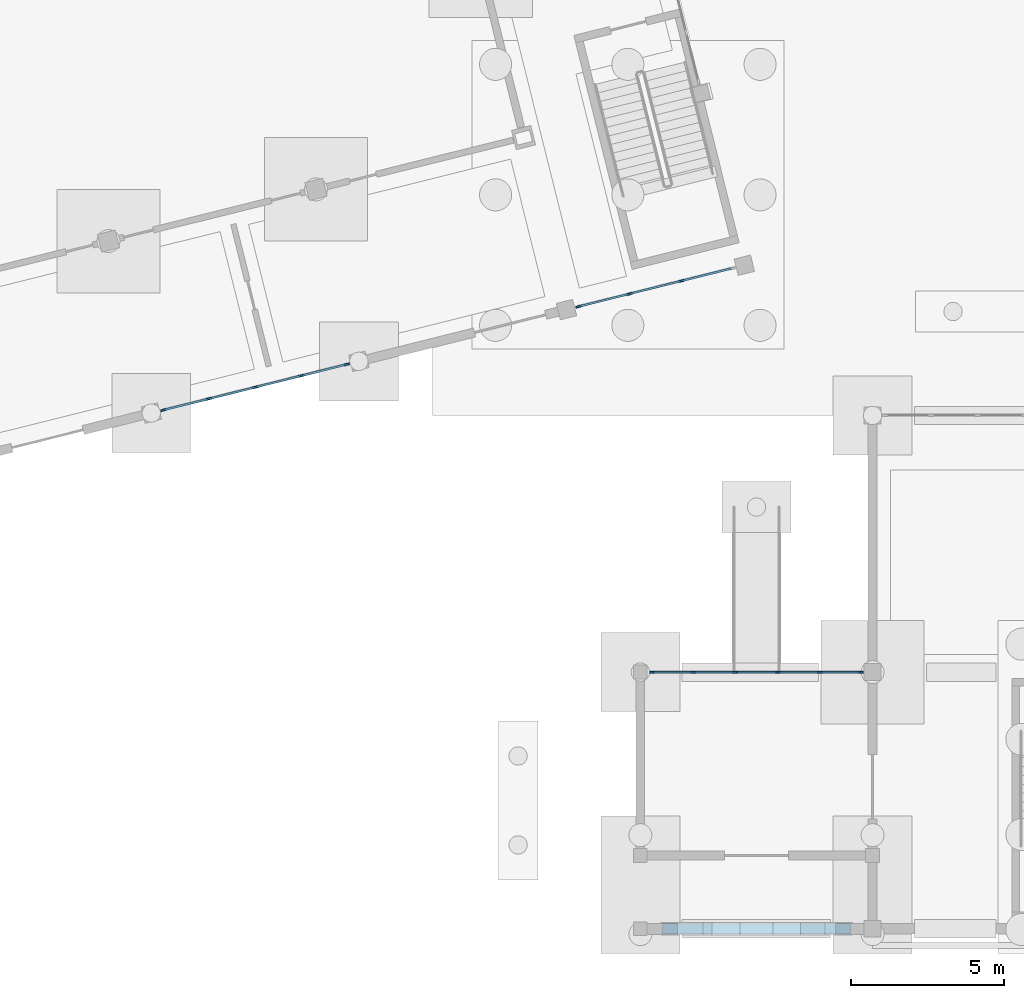
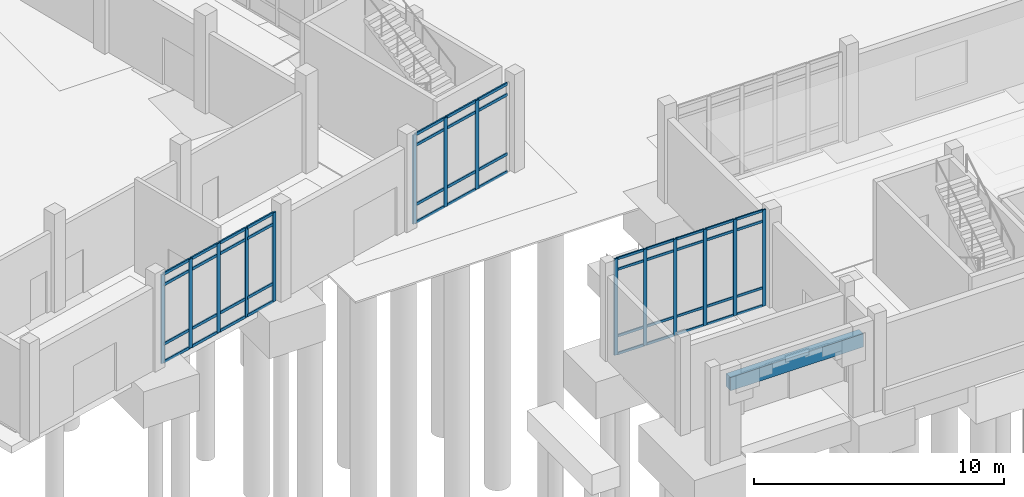
# One storey, part 8 of 72: 62 members, 1 beam, 3 elements without a shape of their own.
"""IFC4 building model written with IfcOpenShell, lengths in metres."""

from ifc_helpers import new_model, si_unit, direction, frame, origin, origin_2d, place, context, subcontext, project, spatial, rectangle, extrude, material, material_profile, profile_set, type_object, element, aggregate, save


model = new_model("IFC4")

# Units and contexts
model_context = context("Model", 3, precision=1e-05, world=origin(), true_north=direction((0.0, 1.0)))
body_context = subcontext(model_context, "Body", "Model", "MODEL_VIEW")
ifc_project = project(units=[si_unit("LENGTHUNIT", "METRE"), si_unit("AREAUNIT", "SQUARE_METRE"), si_unit("VOLUMEUNIT", "CUBIC_METRE"), si_unit("PLANEANGLEUNIT", "RADIAN"), si_unit("MASSUNIT", "GRAM", prefix="KILO")], contexts=[model_context])

# Site, building, storey
site_placement = place(None, origin())
site = spatial("IfcSite", under=ifc_project, at=site_placement, CompositionType="ELEMENT")
building_placement = place(site_placement, origin())
building = spatial("IfcBuilding", under=site, at=building_placement, Name="Cinderway Yard Community Centre", CompositionType="ELEMENT")
storey_placement = place(building_placement, origin())
storey = spatial("IfcBuildingStorey", under=building, at=storey_placement, Name="L00", CompositionType="ELEMENT", Elevation=0.0)

# Curtain wall, members
ifc_material_1 = material(Name="Aluminium 6063-T6", Category="aluminium")
curtain_wall_type_1 = type_object("IfcCurtainWallType", Name="ENV-CW-TYPE-34", PredefinedType="USERDEFINED", material=ifc_material_1)
curtain_wall_1_placement = place(storey_placement, origin())
curtain_wall_1 = element("IfcCurtainWall", 1, at=curtain_wall_1_placement, inside=storey, type_object=curtain_wall_type_1, Name="West Arcade Courtyard Curtain Wall ENV-CW-L00-ST-0197", ObjectType="GLAZED CURTAIN WALL", PredefinedType="USERDEFINED")
ifc_material_profile_1 = material_profile(ifc_material_1, rectangle(XDim=0.06005859375, YDim=0.159912109375, at=origin_2d()), Name="Aluminium 6063-T6")
ifc_profile_set_1 = profile_set([ifc_material_profile_1], Name="Aluminium 6063-T6")
member_type_1 = type_object("IfcMemberType", Name="ENV-CW-MULL-150", PredefinedType="MULLION", material=ifc_profile_set_1)
member_1_placement = place(storey_placement, frame((51.179931640625, 14.39990234375, 0.0), z_axis=(0.0, 0.0, 1.0), x_axis=(0.0, 1.0, 0.0)))
member_1 = element("IfcMember", 2, at=member_1_placement, type_object=member_type_1, Name="CW-34 mullion 1", PredefinedType="MULLION", context=body_context, shape_type="SweptSolid", body=[
    extrude(rectangle(XDim=0.06005859375, YDim=0.159912109375, at=origin_2d()), origin(), (0.0, 0.0, 1.0), 4.699951171875),
])
member_2_placement = place(storey_placement, frame((52.530029296875, 14.39990234375, 0.0), z_axis=(0.0, 0.0, 1.0), x_axis=(0.0, 1.0, 0.0)))
member_2 = element("IfcMember", 3, at=member_2_placement, type_object=member_type_1, Name="CW-34 mullion 2", PredefinedType="MULLION", context=body_context, shape_type="SweptSolid", body=[
    extrude(rectangle(XDim=0.06005859375, YDim=0.159912109375, at=origin_2d()), origin(), (0.0, 0.0, 1.0), 4.699951171875),
])
member_3_placement = place(storey_placement, frame((53.909912109375, 14.39990234375, 0.0), z_axis=(0.0, 0.0, 1.0), x_axis=(0.0, 1.0, 0.0)))
member_3 = element("IfcMember", 4, at=member_3_placement, type_object=member_type_1, Name="CW-34 mullion 3", PredefinedType="MULLION", context=body_context, shape_type="SweptSolid", body=[
    extrude(rectangle(XDim=0.06005859375, YDim=0.159912109375, at=origin_2d()), origin(), (0.0, 0.0, 1.0), 4.699951171875),
])
member_4_placement = place(storey_placement, frame((55.2900390625, 14.39990234375, 0.0), z_axis=(0.0, 0.0, 1.0), x_axis=(0.0, 1.0, 0.0)))
member_4 = element("IfcMember", 5, at=member_4_placement, type_object=member_type_1, Name="CW-34 mullion 4", PredefinedType="MULLION", context=body_context, shape_type="SweptSolid", body=[
    extrude(rectangle(XDim=0.06005859375, YDim=0.159912109375, at=origin_2d()), origin(), (0.0, 0.0, 1.0), 4.699951171875),
])
member_5_placement = place(storey_placement, frame((56.669921875, 14.39990234375, 0.0), z_axis=(0.0, 0.0, 1.0), x_axis=(0.0, 1.0, 0.0)))
member_5 = element("IfcMember", 6, at=member_5_placement, type_object=member_type_1, Name="CW-34 mullion 5", PredefinedType="MULLION", context=body_context, shape_type="SweptSolid", body=[
    extrude(rectangle(XDim=0.06005859375, YDim=0.159912109375, at=origin_2d()), origin(), (0.0, 0.0, 1.0), 4.699951171875),
])
member_6_placement = place(storey_placement, frame((58.02001953125, 14.39990234375, 0.0), z_axis=(0.0, 0.0, 1.0), x_axis=(0.0, 1.0, 0.0)))
member_6 = element("IfcMember", 7, at=member_6_placement, type_object=member_type_1, Name="CW-34 mullion 6", PredefinedType="MULLION", context=body_context, shape_type="SweptSolid", body=[
    extrude(rectangle(XDim=0.06005859375, YDim=0.159912109375, at=origin_2d()), origin(), (0.0, 0.0, 1.0), 4.699951171875),
])

curtain_wall_type_2 = type_object("IfcCurtainWallType", Name="ENV-CW-TYPE-02", PredefinedType="USERDEFINED", material=ifc_material_1)
curtain_wall_2_placement = place(storey_placement, origin())
curtain_wall_2 = element("IfcCurtainWall", 8, at=curtain_wall_2_placement, inside=storey, type_object=curtain_wall_type_2, Name="Sanctuary South Curtain Wall ENV-CW-L00-HS-0008", ObjectType="GLAZED CURTAIN WALL", PredefinedType="USERDEFINED")
ifc_material_profile_2 = material_profile(ifc_material_1, rectangle(XDim=0.06494140625, YDim=0.179931640625, at=origin_2d()), Name="Aluminium 6063-T6")
ifc_profile_set_2 = profile_set([ifc_material_profile_2], Name="Aluminium 6063-T6")
member_type_2 = type_object("IfcMemberType", Name="ENV-CW-MULL-180", PredefinedType="MULLION", material=ifc_profile_set_2)
member_7_placement = place(storey_placement, frame((35.195068359375, 22.975341796875, 0.0), z_axis=(0.0, 0.0, 1.0), x_axis=(-0.241856748919, 0.970311966845, 0.0)))
member_7 = element("IfcMember", 9, at=member_7_placement, type_object=member_type_2, Name="CW-02 mullion 1", PredefinedType="MULLION", context=body_context, shape_type="SweptSolid", body=[
    extrude(rectangle(XDim=0.06494140625, YDim=0.179931640625, at=origin_2d()), origin(), (0.0, 0.0, 1.0), 4.35009765625),
])
member_8_placement = place(storey_placement, frame((36.679443359375, 23.34521484375, 0.0), z_axis=(0.0, 0.0, 1.0), x_axis=(-0.241856748919, 0.970311966845, 0.0)))
member_8 = element("IfcMember", 10, at=member_8_placement, type_object=member_type_2, Name="CW-02 mullion 2", PredefinedType="MULLION", context=body_context, shape_type="SweptSolid", body=[
    extrude(rectangle(XDim=0.06494140625, YDim=0.179931640625, at=origin_2d()), origin(), (0.0, 0.0, 1.0), 4.35009765625),
])
member_9_placement = place(storey_placement, frame((38.193115234375, 23.722412109375, 0.0), z_axis=(0.0, 0.0, 1.0), x_axis=(-0.241856748919, 0.970311966845, 0.0)))
member_9 = element("IfcMember", 11, at=member_9_placement, type_object=member_type_2, Name="CW-02 mullion 3", PredefinedType="MULLION", context=body_context, shape_type="SweptSolid", body=[
    extrude(rectangle(XDim=0.06494140625, YDim=0.179931640625, at=origin_2d()), origin(), (0.0, 0.0, 1.0), 4.35009765625),
])
member_10_placement = place(storey_placement, frame((39.70654296875, 24.099853515625, 0.0), z_axis=(0.0, 0.0, 1.0), x_axis=(-0.241856748919, 0.970311966845, 0.0)))
member_10 = element("IfcMember", 12, at=member_10_placement, type_object=member_type_2, Name="CW-02 mullion 4", PredefinedType="MULLION", context=body_context, shape_type="SweptSolid", body=[
    extrude(rectangle(XDim=0.06494140625, YDim=0.179931640625, at=origin_2d()), origin(), (0.0, 0.0, 1.0), 4.35009765625),
])
member_11_placement = place(storey_placement, frame((41.19091796875, 24.4697265625, 0.0), z_axis=(0.0, 0.0, 1.0), x_axis=(-0.241856748919, 0.970311966845, 0.0)))
member_11 = element("IfcMember", 13, at=member_11_placement, type_object=member_type_2, Name="CW-02 mullion 5", PredefinedType="MULLION", context=body_context, shape_type="SweptSolid", body=[
    extrude(rectangle(XDim=0.06494140625, YDim=0.179931640625, at=origin_2d()), origin(), (0.0, 0.0, 1.0), 4.35009765625),
])

curtain_wall_type_3 = type_object("IfcCurtainWallType", Name="ENV-CW-TYPE-03", PredefinedType="USERDEFINED", material=ifc_material_1)
curtain_wall_3_placement = place(storey_placement, origin())
curtain_wall_3 = element("IfcCurtainWall", 14, at=curtain_wall_3_placement, inside=storey, type_object=curtain_wall_type_3, Name="Sanctuary South Curtain Wall ENV-CW-L00-HS-0009", ObjectType="GLAZED CURTAIN WALL", PredefinedType="USERDEFINED")
member_12_placement = place(storey_placement, frame((48.779052734375, 26.3623046875, 0.0), z_axis=(0.0, 0.0, 1.0), x_axis=(-0.241817034428, 0.970321865084, 0.0)))
member_12 = element("IfcMember", 15, at=member_12_placement, type_object=member_type_2, Name="CW-03 mullion 1", PredefinedType="MULLION", context=body_context, shape_type="SweptSolid", body=[
    extrude(rectangle(XDim=0.06494140625, YDim=0.179931640625, at=origin_2d()), origin(), (0.0, 0.0, 1.0), 4.35009765625),
])
member_13_placement = place(storey_placement, frame((50.444580078125, 26.77734375, 0.0), z_axis=(0.0, 0.0, 1.0), x_axis=(-0.241817034428, 0.970321865084, 0.0)))
member_13 = element("IfcMember", 16, at=member_13_placement, type_object=member_type_2, Name="CW-03 mullion 2", PredefinedType="MULLION", context=body_context, shape_type="SweptSolid", body=[
    extrude(rectangle(XDim=0.06494140625, YDim=0.179931640625, at=origin_2d()), origin(), (0.0, 0.0, 1.0), 4.35009765625),
])
member_14_placement = place(storey_placement, frame((52.139404296875, 27.19970703125, 0.0), z_axis=(0.0, 0.0, 1.0), x_axis=(-0.241817034428, 0.970321865084, 0.0)))
member_14 = element("IfcMember", 17, at=member_14_placement, type_object=member_type_2, Name="CW-03 mullion 3", PredefinedType="MULLION", context=body_context, shape_type="SweptSolid", body=[
    extrude(rectangle(XDim=0.06494140625, YDim=0.179931640625, at=origin_2d()), origin(), (0.0, 0.0, 1.0), 4.35009765625),
])

# Member
ifc_material_profile_3 = material_profile(ifc_material_1, rectangle(XDim=0.06005859375, YDim=0.1201171875, at=origin_2d()), Name="Aluminium 6063-T6")
ifc_profile_set_3 = profile_set([ifc_material_profile_3], Name="Aluminium 6063-T6")
member_type_3 = type_object("IfcMemberType", Name="ENV-CW-TRAN-110", PredefinedType="USERDEFINED", material=ifc_profile_set_3)
member_15_placement = place(storey_placement, frame((51.2099609375, 14.39990234375, 0.030029296875), z_axis=(1.0, 0.0, 0.0), x_axis=(0.0, 1.0, 0.0)))
member_15 = element("IfcMember", 18, at=member_15_placement, type_object=member_type_3, Name="CW-34 transom 1.1", ObjectType="TRANSOM", PredefinedType="USERDEFINED", context=body_context, shape_type="SweptSolid", body=[
    extrude(rectangle(XDim=0.06005859375, YDim=0.1201171875, at=origin_2d()), origin(), (0.0, 0.0, 1.0), 1.2900390625),
])

member_16_placement = place(storey_placement, frame((51.2099609375, 14.39990234375, 0.89990234375), z_axis=(1.0, 0.0, 0.0), x_axis=(0.0, 1.0, 0.0)))
member_16 = element("IfcMember", 19, at=member_16_placement, type_object=member_type_3, Name="CW-34 transom 1.2", ObjectType="TRANSOM", PredefinedType="USERDEFINED", context=body_context, shape_type="SweptSolid", body=[
    extrude(rectangle(XDim=0.06005859375, YDim=0.1201171875, at=origin_2d()), origin(), (0.0, 0.0, 1.0), 1.2900390625),
])

member_17_placement = place(storey_placement, frame((51.2099609375, 14.39990234375, 4.14990234375), z_axis=(1.0, 0.0, 0.0), x_axis=(0.0, 1.0, 0.0)))
member_17 = element("IfcMember", 20, at=member_17_placement, type_object=member_type_3, Name="CW-34 transom 1.3", ObjectType="TRANSOM", PredefinedType="USERDEFINED", context=body_context, shape_type="SweptSolid", body=[
    extrude(rectangle(XDim=0.06005859375, YDim=0.1201171875, at=origin_2d()), origin(), (0.0, 0.0, 1.0), 1.2900390625),
])

member_18_placement = place(storey_placement, frame((51.2099609375, 14.39990234375, 4.669921875), z_axis=(1.0, 0.0, 0.0), x_axis=(0.0, 1.0, 0.0)))
member_18 = element("IfcMember", 21, at=member_18_placement, type_object=member_type_3, Name="CW-34 transom 1.4", ObjectType="TRANSOM", PredefinedType="USERDEFINED", context=body_context, shape_type="SweptSolid", body=[
    extrude(rectangle(XDim=0.06005859375, YDim=0.1201171875, at=origin_2d()), origin(), (0.0, 0.0, 1.0), 1.2900390625),
])

member_19_placement = place(storey_placement, frame((52.56005859375, 14.39990234375, 0.030029296875), z_axis=(1.0, 0.0, 0.0), x_axis=(0.0, 1.0, 0.0)))
member_19 = element("IfcMember", 22, at=member_19_placement, type_object=member_type_3, Name="CW-34 transom 2.1", ObjectType="TRANSOM", PredefinedType="USERDEFINED", context=body_context, shape_type="SweptSolid", body=[
    extrude(rectangle(XDim=0.06005859375, YDim=0.1201171875, at=origin_2d()), origin(), (0.0, 0.0, 1.0), 1.31982421875),
])

member_20_placement = place(storey_placement, frame((52.56005859375, 14.39990234375, 0.89990234375), z_axis=(1.0, 0.0, 0.0), x_axis=(0.0, 1.0, 0.0)))
member_20 = element("IfcMember", 23, at=member_20_placement, type_object=member_type_3, Name="CW-34 transom 2.2", ObjectType="TRANSOM", PredefinedType="USERDEFINED", context=body_context, shape_type="SweptSolid", body=[
    extrude(rectangle(XDim=0.06005859375, YDim=0.1201171875, at=origin_2d()), origin(), (0.0, 0.0, 1.0), 1.31982421875),
])

member_21_placement = place(storey_placement, frame((52.56005859375, 14.39990234375, 4.14990234375), z_axis=(1.0, 0.0, 0.0), x_axis=(0.0, 1.0, 0.0)))
member_21 = element("IfcMember", 24, at=member_21_placement, type_object=member_type_3, Name="CW-34 transom 2.3", ObjectType="TRANSOM", PredefinedType="USERDEFINED", context=body_context, shape_type="SweptSolid", body=[
    extrude(rectangle(XDim=0.06005859375, YDim=0.1201171875, at=origin_2d()), origin(), (0.0, 0.0, 1.0), 1.31982421875),
])

member_22_placement = place(storey_placement, frame((52.56005859375, 14.39990234375, 4.669921875), z_axis=(1.0, 0.0, 0.0), x_axis=(0.0, 1.0, 0.0)))
member_22 = element("IfcMember", 25, at=member_22_placement, type_object=member_type_3, Name="CW-34 transom 2.4", ObjectType="TRANSOM", PredefinedType="USERDEFINED", context=body_context, shape_type="SweptSolid", body=[
    extrude(rectangle(XDim=0.06005859375, YDim=0.1201171875, at=origin_2d()), origin(), (0.0, 0.0, 1.0), 1.31982421875),
])

member_23_placement = place(storey_placement, frame((53.93994140625, 14.39990234375, 0.030029296875), z_axis=(1.0, 0.0, 0.0), x_axis=(0.0, 1.0, 0.0)))
member_23 = element("IfcMember", 26, at=member_23_placement, type_object=member_type_3, Name="CW-34 transom 3.1", ObjectType="TRANSOM", PredefinedType="USERDEFINED", context=body_context, shape_type="SweptSolid", body=[
    extrude(rectangle(XDim=0.06005859375, YDim=0.1201171875, at=origin_2d()), origin(), (0.0, 0.0, 1.0), 1.320068359375),
])

member_24_placement = place(storey_placement, frame((53.93994140625, 14.39990234375, 0.89990234375), z_axis=(1.0, 0.0, 0.0), x_axis=(0.0, 1.0, 0.0)))
member_24 = element("IfcMember", 27, at=member_24_placement, type_object=member_type_3, Name="CW-34 transom 3.2", ObjectType="TRANSOM", PredefinedType="USERDEFINED", context=body_context, shape_type="SweptSolid", body=[
    extrude(rectangle(XDim=0.06005859375, YDim=0.1201171875, at=origin_2d()), origin(), (0.0, 0.0, 1.0), 1.320068359375),
])

member_25_placement = place(storey_placement, frame((53.93994140625, 14.39990234375, 4.14990234375), z_axis=(1.0, 0.0, 0.0), x_axis=(0.0, 1.0, 0.0)))
member_25 = element("IfcMember", 28, at=member_25_placement, type_object=member_type_3, Name="CW-34 transom 3.3", ObjectType="TRANSOM", PredefinedType="USERDEFINED", context=body_context, shape_type="SweptSolid", body=[
    extrude(rectangle(XDim=0.06005859375, YDim=0.1201171875, at=origin_2d()), origin(), (0.0, 0.0, 1.0), 1.320068359375),
])

member_26_placement = place(storey_placement, frame((53.93994140625, 14.39990234375, 4.669921875), z_axis=(1.0, 0.0, 0.0), x_axis=(0.0, 1.0, 0.0)))
member_26 = element("IfcMember", 29, at=member_26_placement, type_object=member_type_3, Name="CW-34 transom 3.4", ObjectType="TRANSOM", PredefinedType="USERDEFINED", context=body_context, shape_type="SweptSolid", body=[
    extrude(rectangle(XDim=0.06005859375, YDim=0.1201171875, at=origin_2d()), origin(), (0.0, 0.0, 1.0), 1.320068359375),
])

member_27_placement = place(storey_placement, frame((55.320068359375, 14.39990234375, 0.030029296875), z_axis=(1.0, 0.0, 0.0), x_axis=(0.0, 1.0, 0.0)))
member_27 = element("IfcMember", 30, at=member_27_placement, type_object=member_type_3, Name="CW-34 transom 4.1", ObjectType="TRANSOM", PredefinedType="USERDEFINED", context=body_context, shape_type="SweptSolid", body=[
    extrude(rectangle(XDim=0.06005859375, YDim=0.1201171875, at=origin_2d()), origin(), (0.0, 0.0, 1.0), 1.31982421875),
])

member_28_placement = place(storey_placement, frame((55.320068359375, 14.39990234375, 0.89990234375), z_axis=(1.0, 0.0, 0.0), x_axis=(0.0, 1.0, 0.0)))
member_28 = element("IfcMember", 31, at=member_28_placement, type_object=member_type_3, Name="CW-34 transom 4.2", ObjectType="TRANSOM", PredefinedType="USERDEFINED", context=body_context, shape_type="SweptSolid", body=[
    extrude(rectangle(XDim=0.06005859375, YDim=0.1201171875, at=origin_2d()), origin(), (0.0, 0.0, 1.0), 1.31982421875),
])

member_29_placement = place(storey_placement, frame((55.320068359375, 14.39990234375, 4.14990234375), z_axis=(1.0, 0.0, 0.0), x_axis=(0.0, 1.0, 0.0)))
member_29 = element("IfcMember", 32, at=member_29_placement, type_object=member_type_3, Name="CW-34 transom 4.3", ObjectType="TRANSOM", PredefinedType="USERDEFINED", context=body_context, shape_type="SweptSolid", body=[
    extrude(rectangle(XDim=0.06005859375, YDim=0.1201171875, at=origin_2d()), origin(), (0.0, 0.0, 1.0), 1.31982421875),
])

member_30_placement = place(storey_placement, frame((55.320068359375, 14.39990234375, 4.669921875), z_axis=(1.0, 0.0, 0.0), x_axis=(0.0, 1.0, 0.0)))
member_30 = element("IfcMember", 33, at=member_30_placement, type_object=member_type_3, Name="CW-34 transom 4.4", ObjectType="TRANSOM", PredefinedType="USERDEFINED", context=body_context, shape_type="SweptSolid", body=[
    extrude(rectangle(XDim=0.06005859375, YDim=0.1201171875, at=origin_2d()), origin(), (0.0, 0.0, 1.0), 1.31982421875),
])

member_31_placement = place(storey_placement, frame((56.699951171875, 14.39990234375, 0.030029296875), z_axis=(1.0, 0.0, 0.0), x_axis=(0.0, 1.0, 0.0)))
member_31 = element("IfcMember", 34, at=member_31_placement, type_object=member_type_3, Name="CW-34 transom 5.1", ObjectType="TRANSOM", PredefinedType="USERDEFINED", context=body_context, shape_type="SweptSolid", body=[
    extrude(rectangle(XDim=0.06005859375, YDim=0.1201171875, at=origin_2d()), origin(), (0.0, 0.0, 1.0), 1.2900390625),
])

member_32_placement = place(storey_placement, frame((56.699951171875, 14.39990234375, 0.89990234375), z_axis=(1.0, 0.0, 0.0), x_axis=(0.0, 1.0, 0.0)))
member_32 = element("IfcMember", 35, at=member_32_placement, type_object=member_type_3, Name="CW-34 transom 5.2", ObjectType="TRANSOM", PredefinedType="USERDEFINED", context=body_context, shape_type="SweptSolid", body=[
    extrude(rectangle(XDim=0.06005859375, YDim=0.1201171875, at=origin_2d()), origin(), (0.0, 0.0, 1.0), 1.2900390625),
])

member_33_placement = place(storey_placement, frame((56.699951171875, 14.39990234375, 4.14990234375), z_axis=(1.0, 0.0, 0.0), x_axis=(0.0, 1.0, 0.0)))
member_33 = element("IfcMember", 36, at=member_33_placement, type_object=member_type_3, Name="CW-34 transom 5.3", ObjectType="TRANSOM", PredefinedType="USERDEFINED", context=body_context, shape_type="SweptSolid", body=[
    extrude(rectangle(XDim=0.06005859375, YDim=0.1201171875, at=origin_2d()), origin(), (0.0, 0.0, 1.0), 1.2900390625),
])

member_34_placement = place(storey_placement, frame((56.699951171875, 14.39990234375, 4.669921875), z_axis=(1.0, 0.0, 0.0), x_axis=(0.0, 1.0, 0.0)))
member_34 = element("IfcMember", 37, at=member_34_placement, type_object=member_type_3, Name="CW-34 transom 5.4", ObjectType="TRANSOM", PredefinedType="USERDEFINED", context=body_context, shape_type="SweptSolid", body=[
    extrude(rectangle(XDim=0.06005859375, YDim=0.1201171875, at=origin_2d()), origin(), (0.0, 0.0, 1.0), 1.2900390625),
])

aggregate(curtain_wall_1, [member_1, member_2, member_3, member_4, member_5, member_6, member_15, member_16, member_17, member_18, member_19, member_20, member_21, member_22, member_23, member_24, member_25, member_26, member_27, member_28, member_29, member_30, member_31, member_32, member_33, member_34])

ifc_material_profile_4 = material_profile(ifc_material_1, rectangle(XDim=0.06494140625, YDim=0.139892578125, at=origin_2d()), Name="Aluminium 6063-T6")
ifc_profile_set_4 = profile_set([ifc_material_profile_4], Name="Aluminium 6063-T6")
member_type_4 = type_object("IfcMemberType", Name="ENV-CW-TRAN-140", PredefinedType="USERDEFINED", material=ifc_profile_set_4)
member_35_placement = place(storey_placement, frame((35.22412109375, 22.982421875, 0.030029296875), z_axis=(0.970318108791, 0.241832106539, 0.0), x_axis=(-0.241832106539, 0.970318108791, 0.0)))
member_35 = element("IfcMember", 38, at=member_35_placement, type_object=member_type_4, Name="CW-02 transom 1.1", ObjectType="TRANSOM", PredefinedType="USERDEFINED", context=body_context, shape_type="SweptSolid", body=[
    extrude(rectangle(XDim=0.06494140625, YDim=0.139892578125, at=origin_2d()), origin(), (0.0, 0.0, 1.0), 1.469970703125),
])

member_36_placement = place(storey_placement, frame((35.22412109375, 22.982421875, 0.89990234375), z_axis=(0.970318108791, 0.241832106539, 0.0), x_axis=(-0.241832106539, 0.970318108791, 0.0)))
member_36 = element("IfcMember", 39, at=member_36_placement, type_object=member_type_4, Name="CW-02 transom 1.2", ObjectType="TRANSOM", PredefinedType="USERDEFINED", context=body_context, shape_type="SweptSolid", body=[
    extrude(rectangle(XDim=0.06494140625, YDim=0.139892578125, at=origin_2d()), origin(), (0.0, 0.0, 1.0), 1.469970703125),
])

member_37_placement = place(storey_placement, frame((35.22412109375, 22.982421875, 3.800048828125), z_axis=(0.970318108791, 0.241832106539, 0.0), x_axis=(-0.241832106539, 0.970318108791, 0.0)))
member_37 = element("IfcMember", 40, at=member_37_placement, type_object=member_type_4, Name="CW-02 transom 1.3", ObjectType="TRANSOM", PredefinedType="USERDEFINED", context=body_context, shape_type="SweptSolid", body=[
    extrude(rectangle(XDim=0.06494140625, YDim=0.139892578125, at=origin_2d()), origin(), (0.0, 0.0, 1.0), 1.469970703125),
])

member_38_placement = place(storey_placement, frame((35.22412109375, 22.982421875, 4.320068359375), z_axis=(0.970318108791, 0.241832106539, 0.0), x_axis=(-0.241832106539, 0.970318108791, 0.0)))
member_38 = element("IfcMember", 41, at=member_38_placement, type_object=member_type_4, Name="CW-02 transom 1.4", ObjectType="TRANSOM", PredefinedType="USERDEFINED", context=body_context, shape_type="SweptSolid", body=[
    extrude(rectangle(XDim=0.06494140625, YDim=0.139892578125, at=origin_2d()), origin(), (0.0, 0.0, 1.0), 1.469970703125),
])

member_39_placement = place(storey_placement, frame((36.70849609375, 23.3525390625, 0.030029296875), z_axis=(0.970305057205, 0.241884468211, 0.0), x_axis=(-0.241884468211, 0.970305057205, 0.0)))
member_39 = element("IfcMember", 42, at=member_39_placement, type_object=member_type_4, Name="CW-02 transom 2.1", ObjectType="TRANSOM", PredefinedType="USERDEFINED", context=body_context, shape_type="SweptSolid", body=[
    extrude(rectangle(XDim=0.06494140625, YDim=0.139892578125, at=origin_2d()), origin(), (0.0, 0.0, 1.0), 1.499755859375),
])

member_40_placement = place(storey_placement, frame((36.70849609375, 23.3525390625, 0.89990234375), z_axis=(0.970305057205, 0.241884468211, 0.0), x_axis=(-0.241884468211, 0.970305057205, 0.0)))
member_40 = element("IfcMember", 43, at=member_40_placement, type_object=member_type_4, Name="CW-02 transom 2.2", ObjectType="TRANSOM", PredefinedType="USERDEFINED", context=body_context, shape_type="SweptSolid", body=[
    extrude(rectangle(XDim=0.06494140625, YDim=0.139892578125, at=origin_2d()), origin(), (0.0, 0.0, 1.0), 1.499755859375),
])

member_41_placement = place(storey_placement, frame((36.70849609375, 23.3525390625, 3.800048828125), z_axis=(0.970305057205, 0.241884468211, 0.0), x_axis=(-0.241884468211, 0.970305057205, 0.0)))
member_41 = element("IfcMember", 44, at=member_41_placement, type_object=member_type_4, Name="CW-02 transom 2.3", ObjectType="TRANSOM", PredefinedType="USERDEFINED", context=body_context, shape_type="SweptSolid", body=[
    extrude(rectangle(XDim=0.06494140625, YDim=0.139892578125, at=origin_2d()), origin(), (0.0, 0.0, 1.0), 1.499755859375),
])

member_42_placement = place(storey_placement, frame((36.70849609375, 23.3525390625, 4.320068359375), z_axis=(0.970305057205, 0.241884468211, 0.0), x_axis=(-0.241884468211, 0.970305057205, 0.0)))
member_42 = element("IfcMember", 45, at=member_42_placement, type_object=member_type_4, Name="CW-02 transom 2.4", ObjectType="TRANSOM", PredefinedType="USERDEFINED", context=body_context, shape_type="SweptSolid", body=[
    extrude(rectangle(XDim=0.06494140625, YDim=0.139892578125, at=origin_2d()), origin(), (0.0, 0.0, 1.0), 1.499755859375),
])

member_43_placement = place(storey_placement, frame((38.22216796875, 23.729736328125, 0.030029296875), z_axis=(0.970305057205, 0.241884468211, 0.0), x_axis=(-0.241884468211, 0.970305057205, 0.0)))
member_43 = element("IfcMember", 46, at=member_43_placement, type_object=member_type_4, Name="CW-02 transom 3.1", ObjectType="TRANSOM", PredefinedType="USERDEFINED", context=body_context, shape_type="SweptSolid", body=[
    extrude(rectangle(XDim=0.06494140625, YDim=0.139892578125, at=origin_2d()), origin(), (0.0, 0.0, 1.0), 1.499755859375),
])

member_44_placement = place(storey_placement, frame((38.22216796875, 23.729736328125, 0.89990234375), z_axis=(0.970305057205, 0.241884468211, 0.0), x_axis=(-0.241884468211, 0.970305057205, 0.0)))
member_44 = element("IfcMember", 47, at=member_44_placement, type_object=member_type_4, Name="CW-02 transom 3.2", ObjectType="TRANSOM", PredefinedType="USERDEFINED", context=body_context, shape_type="SweptSolid", body=[
    extrude(rectangle(XDim=0.06494140625, YDim=0.139892578125, at=origin_2d()), origin(), (0.0, 0.0, 1.0), 1.499755859375),
])

member_45_placement = place(storey_placement, frame((38.22216796875, 23.729736328125, 3.800048828125), z_axis=(0.970305057205, 0.241884468211, 0.0), x_axis=(-0.241884468211, 0.970305057205, 0.0)))
member_45 = element("IfcMember", 48, at=member_45_placement, type_object=member_type_4, Name="CW-02 transom 3.3", ObjectType="TRANSOM", PredefinedType="USERDEFINED", context=body_context, shape_type="SweptSolid", body=[
    extrude(rectangle(XDim=0.06494140625, YDim=0.139892578125, at=origin_2d()), origin(), (0.0, 0.0, 1.0), 1.499755859375),
])

member_46_placement = place(storey_placement, frame((38.22216796875, 23.729736328125, 4.320068359375), z_axis=(0.970305057205, 0.241884468211, 0.0), x_axis=(-0.241884468211, 0.970305057205, 0.0)))
member_46 = element("IfcMember", 49, at=member_46_placement, type_object=member_type_4, Name="CW-02 transom 3.4", ObjectType="TRANSOM", PredefinedType="USERDEFINED", context=body_context, shape_type="SweptSolid", body=[
    extrude(rectangle(XDim=0.06494140625, YDim=0.139892578125, at=origin_2d()), origin(), (0.0, 0.0, 1.0), 1.499755859375),
])

member_47_placement = place(storey_placement, frame((39.735595703125, 24.10693359375, 0.030029296875), z_axis=(0.970318108791, 0.241832106539, 0.0), x_axis=(-0.241832106539, 0.970318108791, 0.0)))
member_47 = element("IfcMember", 50, at=member_47_placement, type_object=member_type_4, Name="CW-02 transom 4.1", ObjectType="TRANSOM", PredefinedType="USERDEFINED", context=body_context, shape_type="SweptSolid", body=[
    extrude(rectangle(XDim=0.06494140625, YDim=0.139892578125, at=origin_2d()), origin(), (0.0, 0.0, 1.0), 1.469970703125),
])

member_48_placement = place(storey_placement, frame((39.735595703125, 24.10693359375, 0.89990234375), z_axis=(0.970318108791, 0.241832106539, 0.0), x_axis=(-0.241832106539, 0.970318108791, 0.0)))
member_48 = element("IfcMember", 51, at=member_48_placement, type_object=member_type_4, Name="CW-02 transom 4.2", ObjectType="TRANSOM", PredefinedType="USERDEFINED", context=body_context, shape_type="SweptSolid", body=[
    extrude(rectangle(XDim=0.06494140625, YDim=0.139892578125, at=origin_2d()), origin(), (0.0, 0.0, 1.0), 1.469970703125),
])

member_49_placement = place(storey_placement, frame((39.735595703125, 24.10693359375, 3.800048828125), z_axis=(0.970318108791, 0.241832106539, 0.0), x_axis=(-0.241832106539, 0.970318108791, 0.0)))
member_49 = element("IfcMember", 52, at=member_49_placement, type_object=member_type_4, Name="CW-02 transom 4.3", ObjectType="TRANSOM", PredefinedType="USERDEFINED", context=body_context, shape_type="SweptSolid", body=[
    extrude(rectangle(XDim=0.06494140625, YDim=0.139892578125, at=origin_2d()), origin(), (0.0, 0.0, 1.0), 1.469970703125),
])

member_50_placement = place(storey_placement, frame((39.735595703125, 24.10693359375, 4.320068359375), z_axis=(0.970318108791, 0.241832106539, 0.0), x_axis=(-0.241832106539, 0.970318108791, 0.0)))
member_50 = element("IfcMember", 53, at=member_50_placement, type_object=member_type_4, Name="CW-02 transom 4.4", ObjectType="TRANSOM", PredefinedType="USERDEFINED", context=body_context, shape_type="SweptSolid", body=[
    extrude(rectangle(XDim=0.06494140625, YDim=0.139892578125, at=origin_2d()), origin(), (0.0, 0.0, 1.0), 1.469970703125),
])

aggregate(curtain_wall_2, [member_7, member_8, member_9, member_10, member_11, member_35, member_36, member_37, member_38, member_39, member_40, member_41, member_42, member_43, member_44, member_45, member_46, member_47, member_48, member_49, member_50])

member_51_placement = place(storey_placement, frame((48.80810546875, 26.36962890625, 0.030029296875), z_axis=(0.970350209099, 0.241703272011, 0.0), x_axis=(-0.241703272011, 0.970350209099, 0.0)))
member_51 = element("IfcMember", 54, at=member_51_placement, type_object=member_type_4, Name="CW-03 transom 1.1", ObjectType="TRANSOM", PredefinedType="USERDEFINED", context=body_context, shape_type="SweptSolid", body=[
    extrude(rectangle(XDim=0.06494140625, YDim=0.139892578125, at=origin_2d()), origin(), (0.0, 0.0, 1.0), 1.656494140625),
])

member_52_placement = place(storey_placement, frame((48.80810546875, 26.36962890625, 0.89990234375), z_axis=(0.970350209099, 0.241703272011, 0.0), x_axis=(-0.241703272011, 0.970350209099, 0.0)))
member_52 = element("IfcMember", 55, at=member_52_placement, type_object=member_type_4, Name="CW-03 transom 1.2", ObjectType="TRANSOM", PredefinedType="USERDEFINED", context=body_context, shape_type="SweptSolid", body=[
    extrude(rectangle(XDim=0.06494140625, YDim=0.139892578125, at=origin_2d()), origin(), (0.0, 0.0, 1.0), 1.656494140625),
])

member_53_placement = place(storey_placement, frame((48.80810546875, 26.36962890625, 3.800048828125), z_axis=(0.970350209099, 0.241703272011, 0.0), x_axis=(-0.241703272011, 0.970350209099, 0.0)))
member_53 = element("IfcMember", 56, at=member_53_placement, type_object=member_type_4, Name="CW-03 transom 1.3", ObjectType="TRANSOM", PredefinedType="USERDEFINED", context=body_context, shape_type="SweptSolid", body=[
    extrude(rectangle(XDim=0.06494140625, YDim=0.139892578125, at=origin_2d()), origin(), (0.0, 0.0, 1.0), 1.656494140625),
])

member_54_placement = place(storey_placement, frame((48.80810546875, 26.36962890625, 4.320068359375), z_axis=(0.970350209099, 0.241703272011, 0.0), x_axis=(-0.241703272011, 0.970350209099, 0.0)))
member_54 = element("IfcMember", 57, at=member_54_placement, type_object=member_type_4, Name="CW-03 transom 1.4", ObjectType="TRANSOM", PredefinedType="USERDEFINED", context=body_context, shape_type="SweptSolid", body=[
    extrude(rectangle(XDim=0.06494140625, YDim=0.139892578125, at=origin_2d()), origin(), (0.0, 0.0, 1.0), 1.656494140625),
])

member_55_placement = place(storey_placement, frame((50.473876953125, 26.78466796875, 0.030029296875), z_axis=(0.970329575716, 0.241786092427, 0.0), x_axis=(-0.241786092427, 0.970329575716, 0.0)))
member_55 = element("IfcMember", 58, at=member_55_placement, type_object=member_type_4, Name="CW-03 transom 2.1", ObjectType="TRANSOM", PredefinedType="USERDEFINED", context=body_context, shape_type="SweptSolid", body=[
    extrude(rectangle(XDim=0.06494140625, YDim=0.139892578125, at=origin_2d()), origin(), (0.0, 0.0, 1.0), 1.686279296875),
])

member_56_placement = place(storey_placement, frame((50.473876953125, 26.78466796875, 0.89990234375), z_axis=(0.970329575716, 0.241786092427, 0.0), x_axis=(-0.241786092427, 0.970329575716, 0.0)))
member_56 = element("IfcMember", 59, at=member_56_placement, type_object=member_type_4, Name="CW-03 transom 2.2", ObjectType="TRANSOM", PredefinedType="USERDEFINED", context=body_context, shape_type="SweptSolid", body=[
    extrude(rectangle(XDim=0.06494140625, YDim=0.139892578125, at=origin_2d()), origin(), (0.0, 0.0, 1.0), 1.686279296875),
])

member_57_placement = place(storey_placement, frame((50.473876953125, 26.78466796875, 3.800048828125), z_axis=(0.970329575716, 0.241786092427, 0.0), x_axis=(-0.241786092427, 0.970329575716, 0.0)))
member_57 = element("IfcMember", 60, at=member_57_placement, type_object=member_type_4, Name="CW-03 transom 2.3", ObjectType="TRANSOM", PredefinedType="USERDEFINED", context=body_context, shape_type="SweptSolid", body=[
    extrude(rectangle(XDim=0.06494140625, YDim=0.139892578125, at=origin_2d()), origin(), (0.0, 0.0, 1.0), 1.686279296875),
])

member_58_placement = place(storey_placement, frame((50.473876953125, 26.78466796875, 4.320068359375), z_axis=(0.970329575716, 0.241786092427, 0.0), x_axis=(-0.241786092427, 0.970329575716, 0.0)))
member_58 = element("IfcMember", 61, at=member_58_placement, type_object=member_type_4, Name="CW-03 transom 2.4", ObjectType="TRANSOM", PredefinedType="USERDEFINED", context=body_context, shape_type="SweptSolid", body=[
    extrude(rectangle(XDim=0.06494140625, YDim=0.139892578125, at=origin_2d()), origin(), (0.0, 0.0, 1.0), 1.686279296875),
])

member_59_placement = place(storey_placement, frame((52.16845703125, 27.20703125, 0.030029296875), z_axis=(0.970350209099, 0.241703272011, 0.0), x_axis=(-0.241703272011, 0.970350209099, 0.0)))
member_59 = element("IfcMember", 62, at=member_59_placement, type_object=member_type_4, Name="CW-03 transom 3.1", ObjectType="TRANSOM", PredefinedType="USERDEFINED", context=body_context, shape_type="SweptSolid", body=[
    extrude(rectangle(XDim=0.06494140625, YDim=0.139892578125, at=origin_2d()), origin(), (0.0, 0.0, 1.0), 1.656494140625),
])

member_60_placement = place(storey_placement, frame((52.16845703125, 27.20703125, 0.89990234375), z_axis=(0.970350209099, 0.241703272011, 0.0), x_axis=(-0.241703272011, 0.970350209099, 0.0)))
member_60 = element("IfcMember", 63, at=member_60_placement, type_object=member_type_4, Name="CW-03 transom 3.2", ObjectType="TRANSOM", PredefinedType="USERDEFINED", context=body_context, shape_type="SweptSolid", body=[
    extrude(rectangle(XDim=0.06494140625, YDim=0.139892578125, at=origin_2d()), origin(), (0.0, 0.0, 1.0), 1.656494140625),
])

member_61_placement = place(storey_placement, frame((52.16845703125, 27.20703125, 3.800048828125), z_axis=(0.970350209099, 0.241703272011, 0.0), x_axis=(-0.241703272011, 0.970350209099, 0.0)))
member_61 = element("IfcMember", 64, at=member_61_placement, type_object=member_type_4, Name="CW-03 transom 3.3", ObjectType="TRANSOM", PredefinedType="USERDEFINED", context=body_context, shape_type="SweptSolid", body=[
    extrude(rectangle(XDim=0.06494140625, YDim=0.139892578125, at=origin_2d()), origin(), (0.0, 0.0, 1.0), 1.656494140625),
])

member_62_placement = place(storey_placement, frame((52.16845703125, 27.20703125, 4.320068359375), z_axis=(0.970350209099, 0.241703272011, 0.0), x_axis=(-0.241703272011, 0.970350209099, 0.0)))
member_62 = element("IfcMember", 65, at=member_62_placement, type_object=member_type_4, Name="CW-03 transom 3.4", ObjectType="TRANSOM", PredefinedType="USERDEFINED", context=body_context, shape_type="SweptSolid", body=[
    extrude(rectangle(XDim=0.06494140625, YDim=0.139892578125, at=origin_2d()), origin(), (0.0, 0.0, 1.0), 1.656494140625),
])

aggregate(curtain_wall_3, [member_12, member_13, member_14, member_51, member_52, member_53, member_54, member_55, member_56, member_57, member_58, member_59, member_60, member_61, member_62])

# Beam
ifc_material_2 = material(Name="Concrete C35/45", Category="concrete")
ifc_material_profile_5 = material_profile(ifc_material_2, rectangle(XDim=0.35009765625, YDim=0.64990234375, at=origin_2d()), Name="Concrete C35/45")
ifc_profile_set_5 = profile_set([ifc_material_profile_5], Name="Concrete C35/45")
beam_type = type_object("IfcBeamType", Name="STR-BM-RC350X650", PredefinedType="BEAM", material=ifc_profile_set_5)
beam_placement = place(storey_placement, frame((51.530029296875, 6.0, 3.625), z_axis=(1.0, 0.0, 0.0), x_axis=(0.0, 1.0, 0.0)))
element("IfcBeam", 66, at=beam_placement, inside=storey, type_object=beam_type, Name="West Storm Arcade Niche Lintel 01", PredefinedType="BEAM", context=body_context, shape_type="SweptSolid", body=[
    extrude(rectangle(XDim=0.35009765625, YDim=0.64990234375, at=origin_2d()), origin(), (0.0, 0.0, 1.0), 6.139892578125),
])

save(model, "model.ifc")
